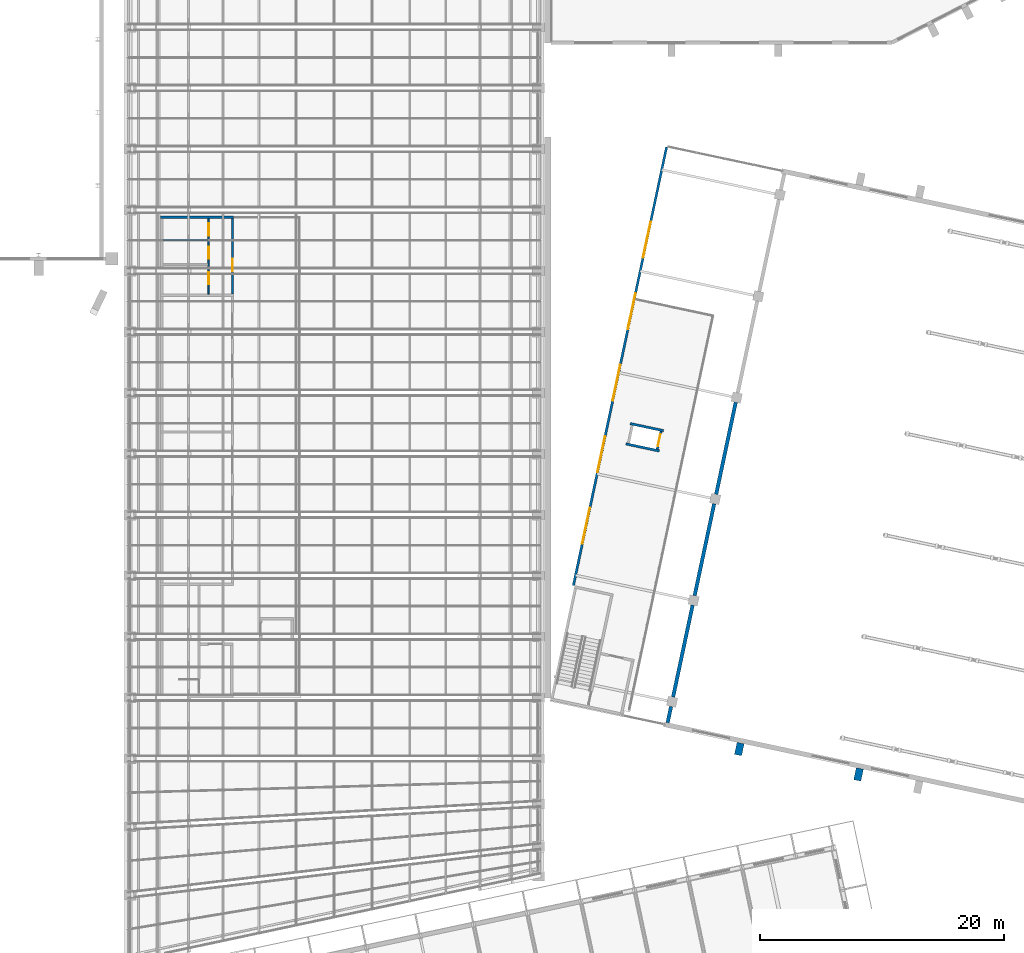
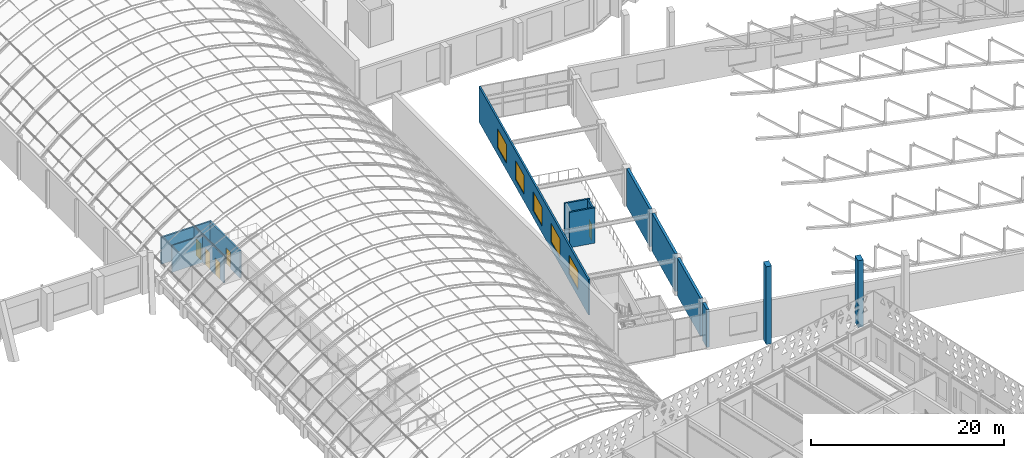
# One storey, part 136 of 182: 14 walls, 5 doors, 5 windows, 10 openings.
"""IFC4 building model written with IfcOpenShell, lengths in metres."""

from ifc_helpers import new_model, si_unit, direction, frame, frame_2d, origin, place, context, subcontext, project, spatial, rectangle, extrude, material, layer, layer_set, type_object, element, fill, save


model = new_model("IFC4")

# Units and contexts
model_context = context("Model", 3, precision=1e-05, world=origin(), true_north=direction((0.0, 1.0)))
body_context = subcontext(model_context, "Body", "Model", "MODEL_VIEW")
ifc_project = project(units=[si_unit("LENGTHUNIT", "METRE"), si_unit("AREAUNIT", "SQUARE_METRE"), si_unit("VOLUMEUNIT", "CUBIC_METRE"), si_unit("PLANEANGLEUNIT", "RADIAN"), si_unit("MASSUNIT", "GRAM", prefix="KILO")], contexts=[model_context])

# Site, building, storey
site_placement = place(None, origin())
site = spatial("IfcSite", under=ifc_project, at=site_placement, CompositionType="ELEMENT")
building_placement = place(site_placement, origin())
building = spatial("IfcBuilding", under=site, at=building_placement, Name="Okhra Congress Centre", CompositionType="ELEMENT")
storey_placement = place(building_placement, frame((0.0, 0.0, 7.199951171875)))
storey = spatial("IfcBuildingStorey", under=building, at=storey_placement, Name="L01", CompositionType="ELEMENT", Elevation=7.199951171875)

# Walls
ifc_material_1 = material(Name="Concrete C35/45", Category="concrete")
ifc_layer_1 = layer(ifc_material_1, 0.60009765625)
ifc_layer_set_1 = layer_set([ifc_layer_1], Name="Ballroom wall fin 600 R 120 C35/45")
wall_type_1 = type_object("IfcWallType", Name="Ballroom wall fin 600 R 120 C35/45", PredefinedType="SOLIDWALL", material=ifc_layer_set_1)
wall_1_placement = place(storey_placement, frame((205.567138671875, 92.2822265625, 0.0), z_axis=(0.0, 0.0, 1.0), x_axis=(-0.20774488838, -0.978183040822, 0.0)))
element("IfcWall", 1, at=wall_1_placement, inside=storey, type_object=wall_type_1, Name="Ballroom wall fin south 1 L01", PredefinedType="SOLIDWALL", context=body_context, shape_type="SweptSolid", body=[
    extrude(rectangle(XDim=1.0, YDim=0.60009765625, at=frame_2d((0.5, 0.0))), origin(), (0.0, 0.0, 1.0), 9.84814453125),
])
wall_2_placement = place(storey_placement, frame((215.3486328125, 90.203125, 0.0), z_axis=(0.0, 0.0, 1.0), x_axis=(-0.20774488838, -0.978183040822, 0.0)))
element("IfcWall", 2, at=wall_2_placement, inside=storey, type_object=wall_type_1, Name="Ballroom wall fin south 2 L01", PredefinedType="SOLIDWALL", context=body_context, shape_type="SweptSolid", body=[
    extrude(rectangle(XDim=1.0, YDim=0.60009765625, at=frame_2d((0.5, 0.0))), origin(), (0.0, 0.0, 1.0), 8.443115234375),
])
ifc_material_2 = material(Name="Gypsum board on steel studs", Category="steel")
ifc_layer_2 = layer(ifc_material_2, 0.125)
ifc_layer_set_2 = layer_set([ifc_layer_2], Name="Partition 125")
wall_type_2 = type_object("IfcWallType", Name="Partition 125", PredefinedType="PARTITIONING", material=ifc_layer_set_2)
wall_3_placement = place(storey_placement, frame((158.199951171875, 133.550048828125, 0.0), z_axis=(0.0, 0.0, 1.0), x_axis=(1.0, 0.0, 0.0)))
element("IfcWall", 3, at=wall_3_placement, inside=storey, type_object=wall_type_2, Name="Accessible gallery WC partition", PredefinedType="PARTITIONING", context=body_context, shape_type="SweptSolid", body=[
    extrude(rectangle(XDim=3.6875, YDim=0.125, at=frame_2d((1.84375, 0.0))), origin(), (0.0, 0.0, 1.0), 3.400146484375),
])

# Wall, openings, doors
ifc_layer_3 = layer(ifc_material_2, 0.125)
ifc_layer_set_3 = layer_set([ifc_layer_3], Name="Partition 125 EI 15")
wall_type_3 = type_object("IfcWallType", Name="Partition 125 EI 15", PredefinedType="PARTITIONING", material=ifc_layer_set_3)
wall_4_placement = place(storey_placement, frame((161.949951171875, 129.10009765625, 0.0), z_axis=(0.0, 0.0, 1.0), x_axis=(0.0, 1.0, 0.0)))
wall_4 = element("IfcWall", 4, at=wall_4_placement, inside=storey, type_object=wall_type_3, Name="Gallery toilet lobby partition", PredefinedType="PARTITIONING", context=body_context, shape_type="SweptSolid", body=[
    extrude(rectangle(XDim=6.199951171875, YDim=0.125, at=frame_2d((3.10009765625, 0.0))), origin(), (0.0, 0.0, 1.0), 3.400146484375),
])
opening_1_placement = place(wall_4_placement, frame((0.800048828125, 0.0, 0.0)))
opening_1 = element("IfcOpeningElement", 5, at=opening_1_placement, cuts=wall_4, Name="Opening L01-026", PredefinedType="OPENING", context=body_context, shape_type="SweptSolid", body=[
    extrude(rectangle(XDim=1.0, YDim=2.10009765625, at=frame_2d((0.5, 1.050048828125))), frame((0.0, 0.072509765625, 0.0), z_axis=(0.0, -1.0, 0.0), x_axis=(1.0, 0.0, 0.0)), (0.0, 0.0, 1.0), 0.14501953125),
])
opening_2_placement = place(wall_4_placement, frame((2.89990234375, 0.0, 0.0)))
opening_2 = element("IfcOpeningElement", 6, at=opening_2_placement, cuts=wall_4, Name="Opening L01-027", PredefinedType="OPENING", context=body_context, shape_type="SweptSolid", body=[
    extrude(rectangle(XDim=1.0, YDim=2.10009765625, at=frame_2d((0.5, 1.050048828125))), frame((0.0, 0.072509765625, 0.0), z_axis=(0.0, -1.0, 0.0), x_axis=(1.0, 0.0, 0.0)), (0.0, 0.0, 1.0), 0.14501953125),
])
opening_3_placement = place(wall_4_placement, frame((4.800048828125, 0.0, 0.0)))
opening_3 = element("IfcOpeningElement", 7, at=opening_3_placement, cuts=wall_4, Name="Opening L01-028", PredefinedType="OPENING", context=body_context, shape_type="SweptSolid", body=[
    extrude(rectangle(XDim=1.0, YDim=2.10009765625, at=frame_2d((0.5, 1.050048828125))), frame((0.0, 0.072509765625, 0.0), z_axis=(0.0, -1.0, 0.0), x_axis=(1.0, 0.0, 0.0)), (0.0, 0.0, 1.0), 0.14501953125),
])
ifc_material_3 = material(Name="Timber door leaf in steel frame", Category="steel")
door_type_1 = type_object("IfcDoorType", Name="Single swing door 1000x2100", OperationType="NOTDEFINED", PredefinedType="DOOR", material=ifc_material_3)
door_1_placement = place(opening_1_placement, origin())
door_1 = element("IfcDoor", 8, at=door_1_placement, inside=storey, type_object=door_type_1, Name="Women's gallery WC door", OperationType="SINGLE_SWING_LEFT", OverallHeight=2.10009765625, OverallWidth=1.0, PredefinedType="DOOR", context=body_context, shape_type="SweptSolid", body=[
    extrude(rectangle(XDim=1.0, YDim=2.10009765625, at=frame_2d((0.5, 1.050048828125))), frame((0.0, 0.02490234375, 0.0), z_axis=(0.0, -1.0, 0.0), x_axis=(1.0, 0.0, 0.0)), (0.0, 0.0, 1.0), 0.050048828125),
])
fill(opening_1, door_1)
door_2_placement = place(opening_2_placement, origin())
door_2 = element("IfcDoor", 9, at=door_2_placement, inside=storey, type_object=door_type_1, Name="Men's gallery WC door", OperationType="SINGLE_SWING_RIGHT", OverallHeight=2.10009765625, OverallWidth=1.0, PredefinedType="DOOR", context=body_context, shape_type="SweptSolid", body=[
    extrude(rectangle(XDim=1.0, YDim=2.10009765625, at=frame_2d((0.5, 1.050048828125))), frame((0.0, 0.02490234375, 0.0), z_axis=(0.0, -1.0, 0.0), x_axis=(1.0, 0.0, 0.0)), (0.0, 0.0, 1.0), 0.050048828125),
])
fill(opening_2, door_2)
door_3_placement = place(opening_3_placement, origin())
door_3 = element("IfcDoor", 10, at=door_3_placement, inside=storey, type_object=door_type_1, Name="Accessible gallery WC door", OperationType="SINGLE_SWING_LEFT", OverallHeight=2.10009765625, OverallWidth=1.0, PredefinedType="DOOR", context=body_context, shape_type="SweptSolid", body=[
    extrude(rectangle(XDim=1.0, YDim=2.10009765625, at=frame_2d((0.5, 1.050048828125))), frame((0.0, 0.02490234375, 0.0), z_axis=(0.0, -1.0, 0.0), x_axis=(1.0, 0.0, 0.0)), (0.0, 0.0, 1.0), 0.050048828125),
])
fill(opening_3, door_3)

# Walls
ifc_material_4 = material(Name="Concrete C30/37", Category="concrete")
ifc_layer_4 = layer(ifc_material_4, 0.300048828125)
ifc_layer_set_4 = layer_set([ifc_layer_4], Name="RC partition wall 300 C30/37")
wall_type_4 = type_object("IfcWallType", Name="RC partition wall 300 C30/37", PredefinedType="SOLIDWALL", material=ifc_layer_set_4)
wall_5_placement = place(storey_placement, frame((199.5859375, 93.96240234375, 0.0), z_axis=(0.0, 0.0, 1.0), x_axis=(0.207787380965, 0.978174015353, 0.0)))
element("IfcWall", 11, at=wall_5_placement, inside=storey, type_object=wall_type_4, Name="Hall and foyer partition wall", PredefinedType="SOLIDWALL", context=body_context, shape_type="SweptSolid", body=[
    extrude(rectangle(XDim=1.35009765625, YDim=0.300048828125, at=frame_2d((0.675048828125, 0.0))), origin(), (0.0, 0.0, 1.0), 4.800048828125),
])
for number, where, z_axis, x_axis, name in (
    (12, (200.032958984375, 96.0654296875, 0.0), (0.0, 0.0, 1.0), (0.207900468663, 0.978149986009, 0.0), "Hall and foyer partition wall"),
    (13, (201.800048828125, 104.379638671875, 0.0), (0.0, 0.0, 1.0), (0.207930804564, 0.978143537786, 0.0), "Hall and foyer partition wall"),
    (14, (203.5673828125, 112.694091796875, 0.0), (0.0, 0.0, 1.0), (0.207900468663, 0.978149986009, 0.0), "Hall and foyer partition wall"),
):
    element("IfcWall", number, at=place(storey_placement, frame(where, z_axis=z_axis, x_axis=x_axis)), inside=storey, type_object=wall_type_4, Name=name, PredefinedType="SOLIDWALL", context=body_context, shape_type="SweptSolid", body=[
        extrude(rectangle(XDim=7.699951171875, YDim=0.300048828125, at=frame_2d((3.85009765625, 0.0))), origin(), (0.0, 0.0, 1.0), 4.800048828125),
    ])
ifc_layer_5 = layer(ifc_material_4, 0.199951171875)
ifc_layer_set_5 = layer_set([ifc_layer_5], Name="RC wall 200 REI 120 C30/37")
wall_type_5 = type_object("IfcWallType", Name="RC wall 200 REI 120 C30/37", PredefinedType="SOLIDWALL", material=ifc_layer_set_5)
wall_6_placement = place(storey_placement, frame((158.0, 135.39990234375, 0.0), z_axis=(0.0, 0.0, 1.0), x_axis=(1.0, 0.0, 0.0)))
element("IfcWall", 15, at=wall_6_placement, inside=storey, type_object=wall_type_5, Name="Gallery toilets north wall", PredefinedType="SOLIDWALL", context=body_context, shape_type="SweptSolid", body=[
    extrude(rectangle(XDim=6.0, YDim=0.199951171875, at=frame_2d((3.0, 0.0))), origin(), (0.0, 0.0, 1.0), 3.400146484375),
])

# Wall, opening, door
wall_7_placement = place(storey_placement, frame((163.89990234375, 129.10009765625, 0.0), z_axis=(0.0, 0.0, 1.0), x_axis=(0.0, 1.0, 0.0)))
wall_7 = element("IfcWall", 16, at=wall_7_placement, inside=storey, type_object=wall_type_5, Name="Gallery toilets east wall", PredefinedType="SOLIDWALL", context=body_context, shape_type="SweptSolid", body=[
    extrude(rectangle(XDim=6.199951171875, YDim=0.199951171875, at=frame_2d((3.10009765625, 0.0))), origin(), (0.0, 0.0, 1.0), 3.400146484375),
])
opening_4_placement = place(wall_7_placement, frame((1.89990234375, 0.0, 0.0)))
opening_4 = element("IfcOpeningElement", 17, at=opening_4_placement, cuts=wall_7, Name="Opening L01-025", PredefinedType="OPENING", context=body_context, shape_type="SweptSolid", body=[
    extrude(rectangle(XDim=1.0, YDim=2.10009765625, at=frame_2d((0.5, 1.050048828125))), frame((0.0, 0.10986328125, 0.0), z_axis=(0.0, -1.0, 0.0), x_axis=(1.0, 0.0, 0.0)), (0.0, 0.0, 1.0), 0.219970703125),
])
door_type_2 = type_object("IfcDoorType", Name="Single swing door 1000x2100 EI 30", OperationType="NOTDEFINED", PredefinedType="DOOR", material=ifc_material_3)
door_4_placement = place(opening_4_placement, frame((1.0, 0.0, 0.0), z_axis=(0.0, 0.0, 1.0), x_axis=(-1.0, 0.0, 0.0)))
door_4 = element("IfcDoor", 18, at=door_4_placement, inside=storey, type_object=door_type_2, Name="Gallery toilet lobby door", OperationType="SINGLE_SWING_RIGHT", OverallHeight=2.10009765625, OverallWidth=1.0, PredefinedType="DOOR", context=body_context, shape_type="SweptSolid", body=[
    extrude(rectangle(XDim=1.0, YDim=2.10009765625, at=frame_2d((0.5, 1.050048828125))), frame((0.0, 0.02490234375, 0.0), z_axis=(0.0, -1.0, 0.0), x_axis=(1.0, 0.0, 0.0)), (0.0, 0.0, 1.0), 0.050048828125),
])
fill(opening_4, door_4)

# Walls
for number, where, z_axis, x_axis, name in (
    (19, (196.1640625, 116.823486328125, 0.0), (0.0, 0.0, 1.0), (0.978138015478, -0.207956780791, 0.0), "Gallery lift shaft south wall"),
    (20, (196.517578125, 118.486328125, 0.0), (0.0, 0.0, 1.0), (0.978138015478, -0.207956780791, 0.0), "Gallery lift shaft north wall"),
):
    element("IfcWall", number, at=place(storey_placement, frame(where, z_axis=z_axis, x_axis=x_axis)), inside=storey, type_object=wall_type_5, Name=name, PredefinedType="SOLIDWALL", context=body_context, shape_type="SweptSolid", body=[
        extrude(rectangle(XDim=2.800048828125, YDim=0.199951171875, at=frame_2d((1.39990234375, 0.0))), origin(), (0.0, 0.0, 1.0), 4.47998046875),
    ])

# Wall, opening, door
wall_8_placement = place(storey_placement, frame((198.72802734375, 116.380615234375, 0.0), z_axis=(0.0, 0.0, 1.0), x_axis=(0.207995007687, 0.978129887478, 0.0)))
wall_8 = element("IfcWall", 21, at=wall_8_placement, inside=storey, type_object=wall_type_5, Name="Gallery lift shaft landing wall", PredefinedType="SOLIDWALL", context=body_context, shape_type="SweptSolid", body=[
    extrude(rectangle(XDim=1.5, YDim=0.199951171875, at=frame_2d((0.75, 0.0))), origin(), (0.0, 0.0, 1.0), 4.47998046875),
])
opening_5_placement = place(wall_8_placement, frame((0.25, 0.0, 0.0)))
opening_5 = element("IfcOpeningElement", 22, at=opening_5_placement, cuts=wall_8, Name="Opening L01-031", PredefinedType="OPENING", context=body_context, shape_type="SweptSolid", body=[
    extrude(rectangle(XDim=1.0, YDim=2.10009765625, at=frame_2d((0.5, 1.050048828125))), frame((0.0, 0.10986328125, 0.0), z_axis=(0.0, -1.0, 0.0), x_axis=(1.0, 0.0, 0.0)), (0.0, 0.0, 1.0), 0.219970703125),
])
ifc_material_5 = material(Name="Stainless steel sliding landing door leaves", Category="steel")
door_type_3 = type_object("IfcDoorType", Name="Lift landing door 1000x2100 EI 30", OperationType="DOUBLE_DOOR_SLIDING", PredefinedType="DOOR", material=ifc_material_5)
door_5_placement = place(opening_5_placement, frame((1.0, 0.0, 0.0), z_axis=(0.0, 0.0, 1.0), x_axis=(-1.0, 0.0, 0.0)))
door_5 = element("IfcDoor", 23, at=door_5_placement, inside=storey, type_object=door_type_3, Name="Gallery lift landing door", OperationType="DOUBLE_DOOR_SLIDING", OverallHeight=2.10009765625, OverallWidth=1.0, PredefinedType="DOOR", context=body_context, shape_type="SweptSolid", body=[
    extrude(rectangle(XDim=1.0, YDim=2.10009765625, at=frame_2d((0.5, 1.050048828125))), frame((0.0, 0.02490234375, 0.0), z_axis=(0.0, -1.0, 0.0), x_axis=(1.0, 0.0, 0.0)), (0.0, 0.0, 1.0), 0.050048828125),
])
fill(opening_5, door_5)

# Wall, openings, windows
wall_9_placement = place(storey_placement, frame((191.8564453125, 105.21533203125, 0.0), z_axis=(0.0, 0.0, 1.0), x_axis=(0.207914134202, 0.978147081373, 0.0)))
wall_9 = element("IfcWall", 24, at=wall_9_placement, inside=storey, type_object=wall_type_5, Name="Foyer west wall L01", PredefinedType="SOLIDWALL", context=body_context, shape_type="SweptSolid", body=[
    extrude(rectangle(XDim=36.75, YDim=0.199951171875, at=frame_2d((18.375, 0.0))), origin(), (0.0, 0.0, 1.0), 4.489990234375),
])
opening_6_placement = place(wall_9_placement, frame((3.5, 0.0, 0.89990234375)))
opening_6 = element("IfcOpeningElement", 25, at=opening_6_placement, cuts=wall_9, Name="Opening WN13", PredefinedType="OPENING", context=body_context, shape_type="SweptSolid", body=[
    extrude(rectangle(XDim=3.0, YDim=2.39990234375, at=frame_2d((1.5, 1.199951171875))), frame((0.0, 0.10986328125, 0.0), z_axis=(0.0, -1.0, 0.0), x_axis=(1.0, 0.0, 0.0)), (0.0, 0.0, 1.0), 0.219970703125),
])
opening_7_placement = place(wall_9_placement, frame((9.5, 0.0, 0.89990234375)))
opening_7 = element("IfcOpeningElement", 26, at=opening_7_placement, cuts=wall_9, Name="Opening WN13", PredefinedType="OPENING", context=body_context, shape_type="SweptSolid", body=[
    extrude(rectangle(XDim=3.0, YDim=2.39990234375, at=frame_2d((1.5, 1.199951171875))), frame((0.0, 0.10986328125, 0.0), z_axis=(0.0, -1.0, 0.0), x_axis=(1.0, 0.0, 0.0)), (0.0, 0.0, 1.0), 0.219970703125),
])
opening_8_placement = place(wall_9_placement, frame((15.5, 0.0, 0.89990234375)))
opening_8 = element("IfcOpeningElement", 27, at=opening_8_placement, cuts=wall_9, Name="Opening WN13", PredefinedType="OPENING", context=body_context, shape_type="SweptSolid", body=[
    extrude(rectangle(XDim=3.0, YDim=2.39990234375, at=frame_2d((1.5, 1.199951171875))), frame((0.0, 0.10986328125, 0.0), z_axis=(0.0, -1.0, 0.0), x_axis=(1.0, 0.0, 0.0)), (0.0, 0.0, 1.0), 0.219970703125),
])
opening_9_placement = place(wall_9_placement, frame((21.5, 0.0, 0.89990234375)))
opening_9 = element("IfcOpeningElement", 28, at=opening_9_placement, cuts=wall_9, Name="Opening WN13", PredefinedType="OPENING", context=body_context, shape_type="SweptSolid", body=[
    extrude(rectangle(XDim=3.0, YDim=2.39990234375, at=frame_2d((1.5, 1.199951171875))), frame((0.0, 0.10986328125, 0.0), z_axis=(0.0, -1.0, 0.0), x_axis=(1.0, 0.0, 0.0)), (0.0, 0.0, 1.0), 0.219970703125),
])
opening_10_placement = place(wall_9_placement, frame((27.5, 0.0, 0.89990234375)))
opening_10 = element("IfcOpeningElement", 29, at=opening_10_placement, cuts=wall_9, Name="Opening WN13", PredefinedType="OPENING", context=body_context, shape_type="SweptSolid", body=[
    extrude(rectangle(XDim=3.0, YDim=2.39990234375, at=frame_2d((1.5, 1.199951171875))), frame((0.0, 0.10986328125, 0.0), z_axis=(0.0, -1.0, 0.0), x_axis=(1.0, 0.0, 0.0)), (0.0, 0.0, 1.0), 0.219970703125),
])
ifc_material_6 = material(Name="Thermally broken aluminium frame, triple glazing", Category="aluminium")
window_type = type_object("IfcWindowType", Name="Fixed window 3000x2400", PartitioningType="SINGLE_PANEL", PredefinedType="WINDOW", material=ifc_material_6)
window_1_placement = place(opening_6_placement, origin())
window_1 = element("IfcWindow", 30, at=window_1_placement, inside=storey, type_object=window_type, Name="Foyer west window", OverallHeight=2.39990234375, OverallWidth=3.0, PartitioningType="SINGLE_PANEL", PredefinedType="WINDOW", context=body_context, shape_type="SweptSolid", body=[
    extrude(rectangle(XDim=3.0, YDim=2.39990234375, at=frame_2d((1.5, 1.199951171875))), frame((0.0, 0.030029296875, 0.0), z_axis=(0.0, -1.0, 0.0), x_axis=(1.0, 0.0, 0.0)), (0.0, 0.0, 1.0), 0.06005859375),
])
fill(opening_6, window_1)
window_2_placement = place(opening_7_placement, origin())
window_2 = element("IfcWindow", 31, at=window_2_placement, inside=storey, type_object=window_type, Name="Foyer west window", OverallHeight=2.39990234375, OverallWidth=3.0, PartitioningType="SINGLE_PANEL", PredefinedType="WINDOW", context=body_context, shape_type="SweptSolid", body=[
    extrude(rectangle(XDim=3.0, YDim=2.39990234375, at=frame_2d((1.5, 1.199951171875))), frame((0.0, 0.030029296875, 0.0), z_axis=(0.0, -1.0, 0.0), x_axis=(1.0, 0.0, 0.0)), (0.0, 0.0, 1.0), 0.06005859375),
])
fill(opening_7, window_2)
window_3_placement = place(opening_8_placement, origin())
window_3 = element("IfcWindow", 32, at=window_3_placement, inside=storey, type_object=window_type, Name="Foyer west window", OverallHeight=2.39990234375, OverallWidth=3.0, PartitioningType="SINGLE_PANEL", PredefinedType="WINDOW", context=body_context, shape_type="SweptSolid", body=[
    extrude(rectangle(XDim=3.0, YDim=2.39990234375, at=frame_2d((1.5, 1.199951171875))), frame((0.0, 0.030029296875, 0.0), z_axis=(0.0, -1.0, 0.0), x_axis=(1.0, 0.0, 0.0)), (0.0, 0.0, 1.0), 0.06005859375),
])
fill(opening_8, window_3)
window_4_placement = place(opening_9_placement, origin())
window_4 = element("IfcWindow", 33, at=window_4_placement, inside=storey, type_object=window_type, Name="Foyer west window", OverallHeight=2.39990234375, OverallWidth=3.0, PartitioningType="SINGLE_PANEL", PredefinedType="WINDOW", context=body_context, shape_type="SweptSolid", body=[
    extrude(rectangle(XDim=3.0, YDim=2.39990234375, at=frame_2d((1.5, 1.199951171875))), frame((0.0, 0.030029296875, 0.0), z_axis=(0.0, -1.0, 0.0), x_axis=(1.0, 0.0, 0.0)), (0.0, 0.0, 1.0), 0.06005859375),
])
fill(opening_9, window_4)
window_5_placement = place(opening_10_placement, origin())
window_5 = element("IfcWindow", 34, at=window_5_placement, inside=storey, type_object=window_type, Name="Foyer west window", OverallHeight=2.39990234375, OverallWidth=3.0, PartitioningType="SINGLE_PANEL", PredefinedType="WINDOW", context=body_context, shape_type="SweptSolid", body=[
    extrude(rectangle(XDim=3.0, YDim=2.39990234375, at=frame_2d((1.5, 1.199951171875))), frame((0.0, 0.030029296875, 0.0), z_axis=(0.0, -1.0, 0.0), x_axis=(1.0, 0.0, 0.0)), (0.0, 0.0, 1.0), 0.06005859375),
])
fill(opening_10, window_5)

save(model, "model.ifc")
